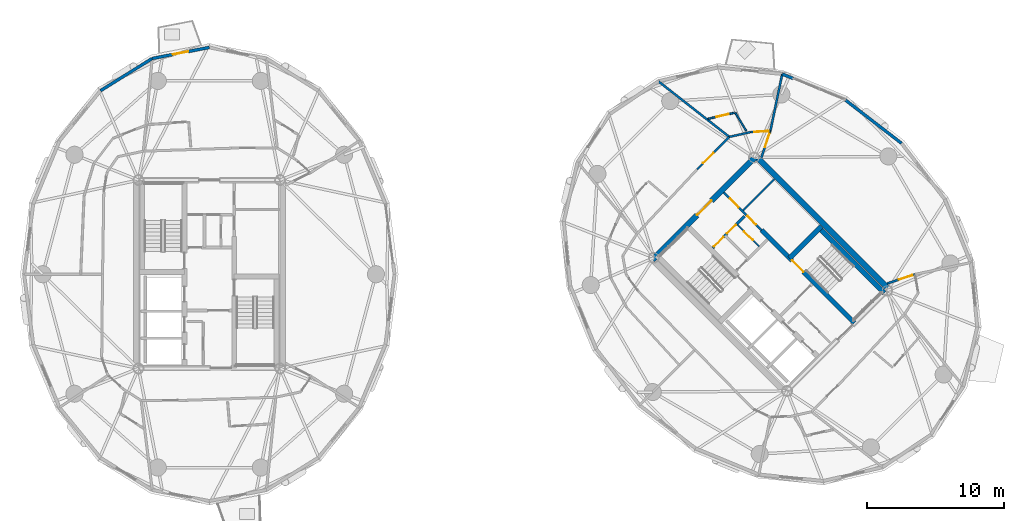
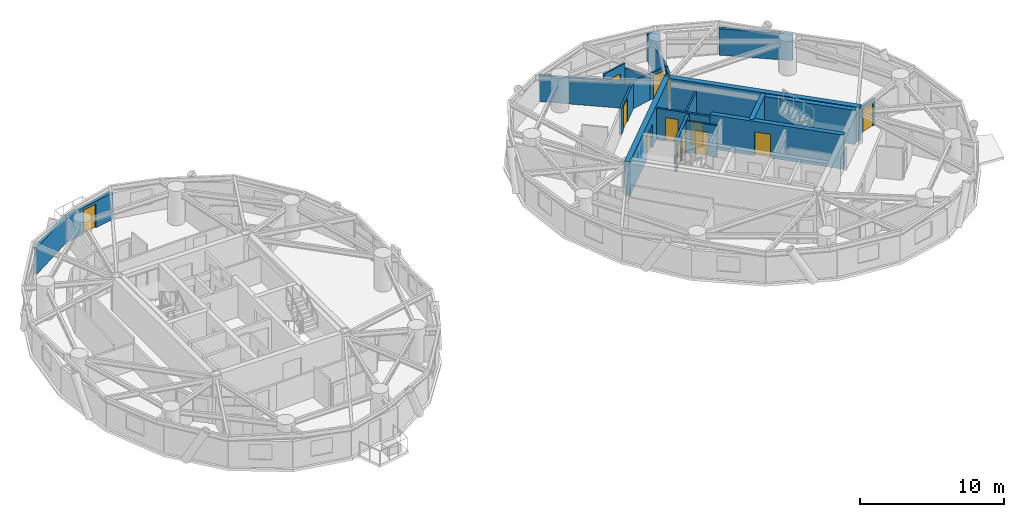
# One storey, part 12 of 16: 22 walls, 13 doors, 13 openings.
"""IFC4 building model written with IfcOpenShell, lengths in metres."""

import ifcopenshell
import ifcopenshell.guid

model = None  # the IFC model being written
_history = None  # IfcOwnerHistory: only IFC2X3 demands one
_inside = {}  # id of a spatial element -> (the spatial element, [elements in it])
_under = {}  # id of a project, library or spatial element -> (it, [spatial elements below it])
_declared = {}  # id of a project -> (the project, [libraries it declares])
_typed = {}  # id of a type object -> (the type object, [elements of that type])
_made_of = {}  # id of a material, layer set ... -> (it, [elements and type objects made of it])


def new_model(schema):
    """Start an empty IFC model of exactly this schema.

    Asked for "IFC4X3", IfcOpenShell would pick the latest addendum, in which some entities
    have other attributes; the version numbers below select the first issue.
    IFC2X3 requires an IfcOwnerHistory on every rooted entity: one is made here for all.
    """
    global model, _history
    if schema == "IFC4X3":
        model = ifcopenshell.file(schema_version=(4, 3, 0, 0))
    else:
        model = ifcopenshell.file(schema=schema)
    _inside.clear()
    _under.clear()
    _declared.clear()
    _typed.clear()
    _made_of.clear()
    _history = None
    if model.schema == "IFC2X3":
        org = make("IfcOrganization", Name="unknown")
        user = make(
            "IfcPersonAndOrganization",
            ThePerson=make("IfcPerson", FamilyName="unknown"),
            TheOrganization=org,
        )
        app = make(
            "IfcApplication",
            ApplicationDeveloper=org,
            Version="unknown",
            ApplicationFullName="unknown",
            ApplicationIdentifier="unknown",
        )
        _history = make(
            "IfcOwnerHistory",
            OwningUser=user,
            OwningApplication=app,
            ChangeAction="ADDED",
            CreationDate=0,
        )
    return model


def make(cls, **values):
    """One entity of the class cls with the attributes given. An attribute that is None is left unset."""
    return model.create_entity(
        cls, **{name: value for name, value in values.items() if value is not None}
    )


def rooted(cls, **values):
    """An entity with a GlobalId (a new one), such as an element, a storey or a relation."""
    return make(cls, GlobalId=ifcopenshell.guid.new(), OwnerHistory=_history, **values)


def si_unit(unit_type, name, prefix=None):
    """IfcSIUnit, for example si_unit("LENGTHUNIT", "METRE", prefix="MILLI")."""
    return make("IfcSIUnit", UnitType=unit_type, Prefix=prefix, Name=name)


def assignment(units):
    """IfcUnitAssignment: the units of a project."""
    return None if units is None else make("IfcUnitAssignment", Units=units)


def point(xyz):
    """IfcCartesianPoint."""
    return None if xyz is None else make("IfcCartesianPoint", Coordinates=xyz)


def direction(xyz):
    """IfcDirection."""
    return None if xyz is None else make("IfcDirection", DirectionRatios=xyz)


def frame(location, z_axis=None, x_axis=None):
    """IfcAxis2Placement3D, a coordinate frame: its origin and axes. An axis left out is left unset."""
    return make(
        "IfcAxis2Placement3D",
        Location=point(location),
        Axis=direction(z_axis),
        RefDirection=direction(x_axis),
    )


def frame_2d(location, x_axis=None):
    """IfcAxis2Placement2D, a coordinate frame in the plane: its origin and x axis."""
    return make(
        "IfcAxis2Placement2D", Location=point(location), RefDirection=direction(x_axis)
    )


def origin():
    """The frame at (0, 0, 0) with its axes left unset."""
    return frame((0.0, 0.0, 0.0))


def place(relative_to, where):
    """IfcLocalPlacement: puts the frame where relative to a parent placement (None: the world)."""
    return make(
        "IfcLocalPlacement", PlacementRelTo=relative_to, RelativePlacement=where
    )


def context(
    kind, dimensions, precision=None, world=None, true_north=None, identifier=None
):
    """IfcGeometricRepresentationContext, for example the 3D "Model" context."""
    return make(
        "IfcGeometricRepresentationContext",
        ContextIdentifier=identifier,
        ContextType=kind,
        CoordinateSpaceDimension=dimensions,
        Precision=precision,
        WorldCoordinateSystem=world,
        TrueNorth=true_north,
    )


def subcontext(parent, identifier, kind, view, scale=None):
    """IfcGeometricRepresentationSubContext, for example "Body" below "Model"."""
    return make(
        "IfcGeometricRepresentationSubContext",
        ContextIdentifier=identifier,
        ContextType=kind,
        ParentContext=parent,
        TargetScale=scale,
        TargetView=view,
    )


def project(units=None, contexts=None):
    """IfcProject with its units and contexts."""
    return rooted(
        "IfcProject",
        Name="project",
        RepresentationContexts=contexts,
        UnitsInContext=assignment(units),
    )


def spatial(cls, under=None, at=None, **own):
    """A site, building, storey or space (cls), placed at a placement, below another one or the project."""
    s = rooted(cls, ObjectPlacement=at, **own)
    if under is not None:
        _under.setdefault(under.id(), (under, []))[1].append(s)
    return s


def profile(cls, at=None, kind="AREA", **sizes):
    """A parametric profile (cls). Its sizes go by their IFC names, for example OverallWidth=200.0."""
    return make(cls, ProfileType=kind, Position=at, **sizes)


def rectangle(**sizes):
    """IfcRectangleProfileDef."""
    return profile("IfcRectangleProfileDef", **sizes)


def extrude(swept, where, along, depth):
    """IfcExtrudedAreaSolid: the profile swept, set in the frame where, extruded along a direction by depth."""
    return make(
        "IfcExtrudedAreaSolid",
        SweptArea=swept,
        Position=where,
        ExtrudedDirection=direction(along),
        Depth=depth,
    )


def shape(context_of_items, identifier, shape_type, items):
    """IfcShapeRepresentation: the items that make up one representation, for example the "Body"."""
    return make(
        "IfcShapeRepresentation",
        ContextOfItems=context_of_items,
        RepresentationIdentifier=identifier,
        RepresentationType=shape_type,
        Items=items,
    )


def source(mapping_origin, context_of_items, identifier, shape_type, items):
    """IfcRepresentationMap: a shape defined once, which mapped items show again and again."""
    return make(
        "IfcRepresentationMap",
        MappingOrigin=mapping_origin,
        MappedRepresentation=shape(context_of_items, identifier, shape_type, items),
    )


def transform(
    local_origin,
    x_axis=None,
    y_axis=None,
    z_axis=None,
    scale=None,
    scale2=None,
    scale3=None,
    uniform=True,
):
    """IfcCartesianTransformationOperator3D, or its non-uniform kind. x_axis, y_axis, z_axis: its Axis1, 2, 3."""
    if uniform:
        return make(
            "IfcCartesianTransformationOperator3D",
            Axis1=direction(x_axis),
            Axis2=direction(y_axis),
            LocalOrigin=point(local_origin),
            Scale=scale,
            Axis3=direction(z_axis),
        )
    return make(
        "IfcCartesianTransformationOperator3DnonUniform",
        Axis1=direction(x_axis),
        Axis2=direction(y_axis),
        LocalOrigin=point(local_origin),
        Scale=scale,
        Axis3=direction(z_axis),
        Scale2=scale2,
        Scale3=scale3,
    )


def mapped(mapping_source, mapping_target):
    """IfcMappedItem: shows the shape of a source again, moved by a transform."""
    return make(
        "IfcMappedItem", MappingSource=mapping_source, MappingTarget=mapping_target
    )


def material(Name=None, Category=None):
    """IfcMaterial."""
    return make("IfcMaterial", Name=Name, Category=Category)


def layer(
    of_material, thickness, ventilated=None, Name=None, Category=None, Priority=None
):
    """IfcMaterialLayer: one layer of a wall or slab, of a material (None: an air gap)."""
    return make(
        "IfcMaterialLayer",
        Material=of_material,
        LayerThickness=thickness,
        IsVentilated=ventilated,
        Name=Name,
        Category=Category,
        Priority=Priority,
    )


def layer_set(layers, Name=None):
    """IfcMaterialLayerSet."""
    return make("IfcMaterialLayerSet", MaterialLayers=layers, LayerSetName=Name)


def made_of(thing, what):
    """Note that an element or type object is made of a material, layer set ...; save() writes the relation."""
    if what is not None:
        _made_of.setdefault(what.id(), (what, []))[1].append(thing)
    return thing


def type_object(cls, material=None, **own):
    """A type object (cls), such as IfcWallType, which elements share."""
    return made_of(rooted(cls, **own), material)


def element(
    cls,
    number,
    at=None,
    inside=None,
    cuts=None,
    type_object=None,
    material=None,
    context=None,
    identifier="Body",
    shape_type=None,
    held_by="IfcProductDefinitionShape",
    body=None,
    shapes=None,
    **own,
):
    """One element of the class cls, such as IfcWall. Its Tag is "e" and its number.

    at: its placement. inside: the storey or other place that contains it. cuts: it is an
    opening in that element (IfcRelVoidsElement). A single representation is given by context,
    identifier, shape_type and body (its items); several are given by shapes. held_by: the class
    of the entity that holds the representations. save() writes the other relations.
    """
    e = rooted(cls, Tag="e%d" % number, ObjectPlacement=at, **own)
    if body is not None:
        shapes = [shape(context, identifier, shape_type, body)]
    if shapes is not None:
        e.Representation = make(held_by, Representations=shapes)
    if inside is not None:
        _inside.setdefault(inside.id(), (inside, []))[1].append(e)
    if cuts is not None:
        rooted(
            "IfcRelVoidsElement", RelatingBuildingElement=cuts, RelatedOpeningElement=e
        )
    if type_object is not None:
        _typed.setdefault(type_object.id(), (type_object, []))[1].append(e)
    return made_of(e, material)


def fill(opening, filler):
    """IfcRelFillsElement: the door or window that sits in an opening."""
    return rooted(
        "IfcRelFillsElement",
        RelatingOpeningElement=opening,
        RelatedBuildingElement=filler,
    )


def aggregate(whole, parts):
    """IfcRelAggregates: a whole, such as a stair, and the parts it consists of."""
    return rooted("IfcRelAggregates", RelatingObject=whole, RelatedObjects=parts)


def save(model, path):
    """Write the relations noted so far, then the file.

    IfcRelAggregates (storeys below a building ...), IfcRelContainedInSpatialStructure (elements
    in a storey), IfcRelDefinesByType, IfcRelAssociatesMaterial and IfcRelDeclares: one each for
    every whole, place, type object, material and project.
    """
    for whole, parts in _under.values():
        aggregate(whole, parts)
    for where, things in _inside.values():
        rooted(
            "IfcRelContainedInSpatialStructure",
            RelatedElements=things,
            RelatingStructure=where,
        )
    for kind, things in _typed.values():
        rooted("IfcRelDefinesByType", RelatedObjects=things, RelatingType=kind)
    for what, things in _made_of.values():
        rooted("IfcRelAssociatesMaterial", RelatedObjects=things, RelatingMaterial=what)
    for by, libraries in _declared.values():
        rooted("IfcRelDeclares", RelatingContext=by, RelatedDefinitions=libraries)
    model.write(path)


model = new_model("IFC4")

# Units and contexts
model_context = context("Model", 3, precision=1e-05, world=origin(), true_north=direction((0.0, 1.0)))
body_context = subcontext(model_context, "Body", "Model", "MODEL_VIEW")
ifc_project = project(units=[si_unit("LENGTHUNIT", "METRE"), si_unit("AREAUNIT", "SQUARE_METRE"), si_unit("VOLUMEUNIT", "CUBIC_METRE"), si_unit("PLANEANGLEUNIT", "RADIAN"), si_unit("MASSUNIT", "GRAM", prefix="KILO")], contexts=[model_context])

# Site, building, storey
site_placement = place(None, origin())
site = spatial("IfcSite", under=ifc_project, at=site_placement, CompositionType="ELEMENT")
building_placement = place(site_placement, origin())
building = spatial("IfcBuilding", under=site, at=building_placement, Name="Cununo Teusaquillo Station Towers", CompositionType="ELEMENT")
storey_placement = place(building_placement, frame((0.0, 0.0, 180.699951171875)))
storey = spatial("IfcBuildingStorey", under=building, at=storey_placement, Name="L57", CompositionType="ELEMENT", Elevation=180.699951171875)

# Wall, opening, door
ifc_material_1 = material(Name="Concrete C50/60", Category="concrete")
ifc_layer_1 = layer(ifc_material_1, 0.35009765625)
ifc_layer_set_1 = layer_set([ifc_layer_1], Name="Concrete C50/60")
wall_type_1 = type_object("IfcWallType", Name="WL-CORE-350", PredefinedType="SHEAR", material=ifc_layer_set_1)
wall_1_placement = place(storey_placement, frame((63.627197265625, 20.939697265625, 0.0), z_axis=(0.0, 0.0, 1.0), x_axis=(-0.707119496762, 0.707094065383, 0.0)))
wall_1 = element("IfcWall", 1, at=wall_1_placement, inside=storey, type_object=wall_type_1, Name="L57 Tower B Core Shear Wall IE", PredefinedType="SHEAR", context=body_context, shape_type="SweptSolid", body=[
    extrude(rectangle(XDim=9.60009765625, YDim=0.35009765625, at=frame_2d((4.800048828125, 0.0))), origin(), (0.0, 0.0, 1.0), 2.91015625),
])
shared_shape_1 = source(origin(), body_context, "Body", "SweptSolid", [
    extrude(rectangle(XDim=1.14990234375, YDim=2.02001953125, at=frame_2d((0.574951171875, 1.010009765625))), frame((0.0, 0.18505859375, 0.0), z_axis=(0.0, -1.0, 0.0), x_axis=(1.0, 0.0, 0.0)), (0.0, 0.0, 1.0), 0.3701171875),
])
opening_1_placement = place(wall_1_placement, frame((5.280029296875, 0.0, 0.0)))
opening_1 = element("IfcOpeningElement", 2, at=opening_1_placement, cuts=wall_1, Name="Opening D-ST1", PredefinedType="OPENING", context=body_context, shape_type="MappedRepresentation", body=[
    mapped(shared_shape_1, transform((0.0, 0.0, 0.0), x_axis=(1.0, 0.0, 0.0), y_axis=(0.0, 1.0, 0.0), z_axis=(0.0, 0.0, 1.0), scale=1.0)),
])
ifc_material_2 = material(Name="Galvanised fire-rated hollow steel door assembly", Category="steel")
door_type_1 = type_object("IfcDoorType", Name="DR-STAIR-1150", OperationType="NOTDEFINED", PredefinedType="DOOR", material=ifc_material_2)
shared_shape_2 = source(origin(), body_context, "Body", "SweptSolid", [
    extrude(rectangle(XDim=1.14990234375, YDim=2.02001953125, at=frame_2d((0.574951171875, 1.010009765625))), frame((0.0, 0.02490234375, 0.0), z_axis=(0.0, -1.0, 0.0), x_axis=(1.0, 0.0, 0.0)), (0.0, 0.0, 1.0), 0.050048828125),
])
door_1_placement = place(opening_1_placement, origin())
door_1 = element("IfcDoor", 3, at=door_1_placement, inside=storey, type_object=door_type_1, Name="L57 Tower B Exit Stair 2 Fire Door", OperationType="SINGLE_SWING_RIGHT", OverallHeight=2.02001953125, OverallWidth=1.14990234375, PredefinedType="DOOR", context=body_context, shape_type="MappedRepresentation", body=[
    mapped(shared_shape_2, transform((0.0, 0.0, 0.0), x_axis=(1.0, 0.0, 0.0), y_axis=(0.0, 1.0, 0.0), z_axis=(0.0, 0.0, 1.0), scale=1.0)),
])
fill(opening_1, door_1)

# Walls
wall_2_placement = place(storey_placement, frame((65.81201171875, 23.124755859375, 0.0), z_axis=(0.0, 0.0, 1.0), x_axis=(-0.707106781187, 0.707106781187, 0.0)))
element("IfcWall", 4, at=wall_2_placement, inside=storey, type_object=wall_type_1, Name="L57 Tower B Core Shear Wall ST2E", PredefinedType="SHEAR", context=body_context, shape_type="SweptSolid", body=[
    extrude(rectangle(XDim=6.695068359375, YDim=0.35009765625, at=frame_2d((3.34765625, 0.0))), origin(), (0.0, 0.0, 1.0), 2.91015625),
])
wall_3_placement = place(storey_placement, frame((58.89306640625, 25.673828125, 0.0), z_axis=(0.0, 0.0, 1.0), x_axis=(0.707106781187, 0.707106781187, 0.0)))
element("IfcWall", 5, at=wall_3_placement, inside=storey, type_object=wall_type_1, Name="L57 Tower B Core Shear Wall ST2N", PredefinedType="SHEAR", context=body_context, shape_type="SweptSolid", body=[
    extrude(rectangle(XDim=3.284912109375, YDim=0.35009765625, at=frame_2d((1.642578125, 0.0))), origin(), (0.0, 0.0, 1.0), 2.91015625),
])
ifc_material_3 = material(Name="Concrete C50/60", Category="concrete")
ifc_layer_2 = layer(ifc_material_3, 0.39990234375)
ifc_layer_set_2 = layer_set([ifc_layer_2], Name="Concrete C50/60")
wall_type_2 = type_object("IfcWallType", Name="WL-CORE-400", PredefinedType="SHEAR", material=ifc_layer_set_2)
wall_4_placement = place(storey_placement, frame((66.26806640625, 23.2978515625, 0.0), z_axis=(0.0, 0.0, 1.0), x_axis=(-0.707106781187, 0.707106781187, 0.0)))
element("IfcWall", 6, at=wall_4_placement, inside=storey, type_object=wall_type_2, Name="L57 Tower B Core Shear Wall E", PredefinedType="SHEAR", context=body_context, shape_type="SweptSolid", body=[
    extrude(rectangle(XDim=14.10009765625, YDim=0.39990234375, at=frame_2d((7.050048828125, 0.0))), origin(), (0.0, 0.0, 1.0), 2.91015625),
])

# Wall, opening, door
wall_5_placement = place(storey_placement, frame((48.873291015625, 25.560791015625, 0.0), z_axis=(0.0, 0.0, 1.0), x_axis=(0.707106781187, 0.707106781187, 0.0)))
wall_5 = element("IfcWall", 7, at=wall_5_placement, inside=storey, type_object=wall_type_2, Name="L57 Tower B Core Shear Wall N", PredefinedType="SHEAR", context=body_context, shape_type="SweptSolid", body=[
    extrude(rectangle(XDim=10.69970703125, YDim=0.39990234375, at=frame_2d((5.349853515625, 0.0))), origin(), (0.0, 0.0, 1.0), 2.91015625),
])
shared_shape_3 = source(origin(), body_context, "Body", "SweptSolid", [
    extrude(rectangle(XDim=1.5, YDim=2.02001953125, at=frame_2d((0.75, 1.010009765625))), frame((0.0, 0.2099609375, 0.0), z_axis=(0.0, -1.0, 0.0), x_axis=(1.0, 0.0, 0.0)), (0.0, 0.0, 1.0), 0.419921875),
])
opening_2_placement = place(wall_5_placement, frame((4.60009765625, 0.0, 0.0)))
opening_2 = element("IfcOpeningElement", 8, at=opening_2_placement, cuts=wall_5, Name="Opening D-LB1", PredefinedType="OPENING", context=body_context, shape_type="MappedRepresentation", body=[
    mapped(shared_shape_3, transform((0.0, 0.0, 0.0), x_axis=(1.0, 0.0, 0.0), y_axis=(0.0, 1.0, 0.0), z_axis=(0.0, 0.0, 1.0), scale=1.0)),
])
ifc_material_4 = material(Name="Galvanised fire-rated hollow steel door assembly", Category="steel")
door_type_2 = type_object("IfcDoorType", Name="DR-LOBBY-1500", OperationType="DOUBLE_DOOR_SINGLE_SWING", PredefinedType="DOOR", material=ifc_material_4)
shared_shape_4 = source(origin(), body_context, "Body", "SweptSolid", [
    extrude(rectangle(XDim=1.5, YDim=2.02001953125, at=frame_2d((0.75, 1.010009765625))), frame((0.0, 0.02490234375, 0.0), z_axis=(0.0, -1.0, 0.0), x_axis=(1.0, 0.0, 0.0)), (0.0, 0.0, 1.0), 0.050048828125),
])
door_2_placement = place(opening_2_placement, origin())
door_2 = element("IfcDoor", 9, at=door_2_placement, inside=storey, type_object=door_type_2, Name="L57 Tower B North Core Lift Lobby Door", OperationType="DOUBLE_DOOR_SINGLE_SWING", OverallHeight=2.02001953125, OverallWidth=1.5, PredefinedType="DOOR", context=body_context, shape_type="MappedRepresentation", body=[
    mapped(shared_shape_4, transform((0.0, 0.0, 0.0), x_axis=(1.0, 0.0, 0.0), y_axis=(0.0, 1.0, 0.0), z_axis=(0.0, 0.0, 1.0), scale=1.0)),
])
fill(opening_2, door_2)

ifc_material_5 = material(Name="Precast concrete C40/50", Category="concrete")
ifc_layer_3 = layer(ifc_material_5, 0.219970703125)
ifc_layer_set_3 = layer_set([ifc_layer_3], Name="Precast concrete C40/50")
wall_type_3 = type_object("IfcWallType", Name="WL-EXT-220", PredefinedType="SOLIDWALL", material=ifc_layer_set_3)
wall_6_placement = place(storey_placement, frame((12.318603515625, 40.259033203125, 0.0), z_axis=(0.0, 0.0, 1.0), x_axis=(0.981703883443, 0.190413983815, 0.0)))
wall_6 = element("IfcWall", 10, at=wall_6_placement, inside=storey, type_object=wall_type_3, Name="L57 Tower A Exterior Facade Wall C05", PredefinedType="SOLIDWALL", context=body_context, shape_type="SweptSolid", body=[
    extrude(rectangle(XDim=4.25927734375, YDim=0.219970703125, at=frame_2d((2.129638671875, 0.0))), origin(), (0.0, 0.0, 1.0), 2.2451171875),
])
shared_shape_5 = source(origin(), body_context, "Body", "SweptSolid", [
    extrude(rectangle(XDim=1.14990234375, YDim=2.0048828125, at=frame_2d((0.574951171875, 1.00244140625))), frame((0.0, 0.119873046875, 0.0), z_axis=(0.0, -1.0, 0.0), x_axis=(1.0, 0.0, 0.0)), (0.0, 0.0, 1.0), 0.239990234375),
])
opening_3_placement = place(wall_6_placement, frame((1.554931640625, 0.0, 0.0)))
opening_3 = element("IfcOpeningElement", 11, at=opening_3_placement, cuts=wall_6, Name="Opening ED-03", PredefinedType="OPENING", context=body_context, shape_type="MappedRepresentation", body=[
    mapped(shared_shape_5, transform((0.0, 0.0, 0.0), x_axis=(1.0, 0.0, 0.0), y_axis=(0.0, 1.0, 0.0), z_axis=(0.0, 0.0, 1.0), scale=1.0)),
])
ifc_material_6 = material(Name="Anodised dark bronze aluminium EN AW-6063-T6", Category="aluminium")
door_type_3 = type_object("IfcDoorType", Name="DR-EXT-BAL", OperationType="NOTDEFINED", PredefinedType="DOOR", material=ifc_material_6)
shared_shape_6 = source(origin(), body_context, "Body", "SweptSolid", [
    extrude(rectangle(XDim=1.14990234375, YDim=2.0048828125, at=frame_2d((0.574951171875, 1.00244140625))), frame((0.0, 0.02490234375, 0.0), z_axis=(0.0, -1.0, 0.0), x_axis=(1.0, 0.0, 0.0)), (0.0, 0.0, 1.0), 0.050048828125),
])
door_3_placement = place(opening_3_placement, origin())
door_3 = element("IfcDoor", 12, at=door_3_placement, inside=storey, type_object=door_type_3, Name="L57 Tower A Tree Balcony Door C05", OperationType="SINGLE_SWING_LEFT", OverallHeight=2.0048828125, OverallWidth=1.14990234375, PredefinedType="DOOR", context=body_context, shape_type="MappedRepresentation", body=[
    mapped(shared_shape_6, transform((0.0, 0.0, 0.0), x_axis=(1.0, 0.0, 0.0), y_axis=(0.0, 1.0, 0.0), z_axis=(0.0, 0.0, 1.0), scale=1.0)),
])
fill(opening_3, door_3)

# Walls
wall_7_placement = place(storey_placement, frame((8.546630859375, 37.905517578125, 0.0), z_axis=(0.0, 0.0, 1.0), x_axis=(0.848399108042, 0.529357113368, 0.0)))
element("IfcWall", 13, at=wall_7_placement, inside=storey, type_object=wall_type_3, Name="L57 Tower A Exterior Facade Wall C06", PredefinedType="SOLIDWALL", context=body_context, shape_type="SweptSolid", body=[
    extrude(rectangle(XDim=4.446044921875, YDim=0.219970703125, at=frame_2d((2.22314453125, 0.0))), origin(), (0.0, 0.0, 1.0), 2.2451171875),
])
wall_8_placement = place(storey_placement, frame((62.97900390625, 37.22021484375, 0.0), z_axis=(0.0, 0.0, 1.0), x_axis=(0.791962560189, -0.610569654715, 0.0)))
element("IfcWall", 14, at=wall_8_placement, inside=storey, type_object=wall_type_3, Name="L57 Tower B Exterior Facade Wall C00", PredefinedType="SOLIDWALL", context=body_context, shape_type="SweptSolid", body=[
    extrude(rectangle(XDim=5.162841796875, YDim=0.219970703125, at=frame_2d((2.58154296875, 0.0))), origin(), (0.0, 0.0, 1.0), 2.2451171875),
])
wall_9_placement = place(storey_placement, frame((58.353515625, 39.12744140625, 0.0), z_axis=(0.0, 0.0, 1.0), x_axis=(0.924556017656, -0.381046152345, 0.0)))
element("IfcWall", 15, at=wall_9_placement, inside=storey, type_object=wall_type_3, Name="L57 Tower B Column Pier Cladding Wall C01-PA", PredefinedType="SOLIDWALL", context=body_context, shape_type="SweptSolid", body=[
    extrude(rectangle(XDim=0.8701171875, YDim=0.219970703125, at=frame_2d((0.43505859375, 0.0))), origin(), (0.0, 0.0, 1.0), 2.2451171875),
])

# Wall, opening, door
ifc_material_7 = material(Name="Fire-rated gypsum plasterboard partition assembly", Category="gypsum")
ifc_layer_4 = layer(ifc_material_7, 0.125)
ifc_layer_set_4 = layer_set([ifc_layer_4], Name="Fire-rated gypsum plasterboard partition assembly")
wall_type_4 = type_object("IfcWallType", Name="WL-PART-125", PredefinedType="PARTITIONING", material=ifc_layer_set_4)
wall_10_placement = place(storey_placement, frame((56.672607421875, 26.529296875, 0.0), z_axis=(0.0, 0.0, 1.0), x_axis=(-0.707052764397, 0.70716079385, 0.0)))
wall_10 = element("IfcWall", 16, at=wall_10_placement, inside=storey, type_object=wall_type_4, Name="L57 Tower B Core Vertical Split Wall", PredefinedType="PARTITIONING", context=body_context, shape_type="SweptSolid", body=[
    extrude(rectangle(XDim=2.260009765625, YDim=0.125, at=frame_2d((1.1298828125, 0.0))), origin(), (0.0, 0.0, 1.0), 2.675048828125),
])
shared_shape_7 = source(origin(), body_context, "Body", "SweptSolid", [
    extrude(rectangle(XDim=0.89990234375, YDim=2.0048828125, at=frame_2d((0.449951171875, 1.00244140625))), frame((0.0, 0.072509765625, 0.0), z_axis=(0.0, -1.0, 0.0), x_axis=(1.0, 0.0, 0.0)), (0.0, 0.0, 1.0), 0.14501953125),
])
opening_4_placement = place(wall_10_placement, frame((0.64990234375, 0.0, 0.0)))
opening_4 = element("IfcOpeningElement", 17, at=opening_4_placement, cuts=wall_10, Name="Opening D-SR1", PredefinedType="OPENING", context=body_context, shape_type="MappedRepresentation", body=[
    mapped(shared_shape_7, transform((0.0, 0.0, 0.0), x_axis=(1.0, 0.0, 0.0), y_axis=(0.0, 1.0, 0.0), z_axis=(0.0, 0.0, 1.0), scale=1.0)),
])
ifc_material_8 = material(Name="Galvanised fire-rated hollow steel door assembly", Category="steel")
door_type_4 = type_object("IfcDoorType", Name="DR-STORE-900", OperationType="NOTDEFINED", PredefinedType="DOOR", material=ifc_material_8)
shared_shape_8 = source(origin(), body_context, "Body", "SweptSolid", [
    extrude(rectangle(XDim=0.89990234375, YDim=2.0048828125, at=frame_2d((0.449951171875, 1.00244140625))), frame((0.0, 0.02490234375, 0.0), z_axis=(0.0, -1.0, 0.0), x_axis=(1.0, 0.0, 0.0)), (0.0, 0.0, 1.0), 0.050048828125),
])
door_4_placement = place(opening_4_placement, origin())
door_4 = element("IfcDoor", 18, at=door_4_placement, inside=storey, type_object=door_type_4, Name="L57 Tower B Core Electrical Room Door", OperationType="SINGLE_SWING_LEFT", OverallHeight=2.0048828125, OverallWidth=0.89990234375, PredefinedType="DOOR", context=body_context, shape_type="MappedRepresentation", body=[
    mapped(shared_shape_8, transform((0.0, 0.0, 0.0), x_axis=(1.0, 0.0, 0.0), y_axis=(0.0, 1.0, 0.0), z_axis=(0.0, 0.0, 1.0), scale=1.0)),
])
fill(opening_4, door_4)

# Walls
wall_11_placement = place(storey_placement, frame((55.49169921875, 29.1669921875, 0.0), z_axis=(0.0, 0.0, 1.0), x_axis=(0.707144688645, 0.707068871696, 0.0)))
element("IfcWall", 19, at=wall_11_placement, inside=storey, type_object=wall_type_4, Name="L57 Tower B Reclaimed Bay Divider Wall", PredefinedType="PARTITIONING", context=body_context, shape_type="SweptSolid", body=[
    extrude(rectangle(XDim=3.22021484375, YDim=0.125, at=frame_2d((1.610107421875, 0.0))), origin(), (0.0, 0.0, 1.0), 2.212158203125),
])
wall_12_placement = place(storey_placement, frame((55.726806640625, 34.969970703125, 0.0), z_axis=(0.0, 0.0, 1.0), x_axis=(-0.514518774568, 0.857479113808, 0.0)))
element("IfcWall", 20, at=wall_12_placement, inside=storey, type_object=wall_type_4, Name="L57 Tower B S01 En-suite Side Wall", PredefinedType="PARTITIONING", context=body_context, shape_type="SweptSolid", body=[
    extrude(rectangle(XDim=1.5595703125, YDim=0.125, at=frame_2d((0.77978515625, 0.0))), origin(), (0.0, 0.0, 1.0), 2.2451171875),
])

# Wall, opening, door
wall_13_placement = place(storey_placement, frame((54.863525390625, 36.29345703125, 0.0), z_axis=(0.0, 0.0, 1.0), x_axis=(-0.974875983782, -0.222748324896, 0.0)))
wall_13 = element("IfcWall", 21, at=wall_13_placement, inside=storey, type_object=wall_type_4, Name="L57 Tower B S01 En-suite Back Wall", PredefinedType="PARTITIONING", context=body_context, shape_type="SweptSolid", body=[
    extrude(rectangle(XDim=1.99365234375, YDim=0.125, at=frame_2d((0.996826171875, 0.0))), origin(), (0.0, 0.0, 1.0), 2.675048828125),
])
opening_5_placement = place(wall_13_placement, frame((0.440185546875, 0.0, 0.0)))
opening_5 = element("IfcOpeningElement", 22, at=opening_5_placement, cuts=wall_13, Name="Opening D-IN1", PredefinedType="OPENING", context=body_context, shape_type="MappedRepresentation", body=[
    mapped(shared_shape_7, transform((0.0, 0.0, 0.0), x_axis=(1.0, 0.0, 0.0), y_axis=(0.0, 1.0, 0.0), z_axis=(0.0, 0.0, 1.0), scale=1.0)),
])
ifc_material_9 = material(Name="Acoustic solid-core hardwood leaf assembly", Category="wood")
door_type_5 = type_object("IfcDoorType", Name="DR-INT-900", OperationType="NOTDEFINED", PredefinedType="DOOR", material=ifc_material_9)
door_5_placement = place(opening_5_placement, origin())
door_5 = element("IfcDoor", 23, at=door_5_placement, inside=storey, type_object=door_type_5, Name="L57 Tower B S01 En-suite Bathroom Door", OperationType="SINGLE_SWING_LEFT", OverallHeight=2.0048828125, OverallWidth=0.89990234375, PredefinedType="DOOR", context=body_context, shape_type="MappedRepresentation", body=[
    mapped(shared_shape_8, transform((0.0, 0.0, 0.0), x_axis=(1.0, 0.0, 0.0), y_axis=(0.0, 1.0, 0.0), z_axis=(0.0, 0.0, 1.0), scale=1.0)),
])
fill(opening_5, door_5)

ifc_material_10 = material(Name="Fire-rated gypsum plasterboard partition assembly", Category="gypsum")
ifc_layer_5 = layer(ifc_material_10, 0.14990234375)
ifc_layer_set_5 = layer_set([ifc_layer_5], Name="Fire-rated gypsum plasterboard partition assembly")
wall_type_5 = type_object("IfcWallType", Name="WL-PART-150", PredefinedType="PARTITIONING", material=ifc_layer_set_5)
wall_14_placement = place(storey_placement, frame((57.486328125, 34.96044921875, 0.0), z_axis=(0.0, 0.0, 1.0), x_axis=(-0.998483871836, -0.055045051404, 0.0)))
wall_14 = element("IfcWall", 24, at=wall_14_placement, inside=storey, type_object=wall_type_5, Name="L57 Tower B Corridor Ring Wall C02", PredefinedType="PARTITIONING", context=body_context, shape_type="SweptSolid", body=[
    extrude(rectangle(XDim=1.463623046875, YDim=0.14990234375, at=frame_2d((0.73193359375, 0.0))), origin(), (0.0, 0.0, 1.0), 2.2451171875),
])
shared_shape_9 = source(origin(), body_context, "Body", "SweptSolid", [
    extrude(rectangle(XDim=1.050048828125, YDim=2.014892578125, at=frame_2d((0.52490234375, 1.00732421875))), frame((0.0, 0.0849609375, 0.0), z_axis=(0.0, -1.0, 0.0), x_axis=(1.0, 0.0, 0.0)), (0.0, 0.0, 1.0), 0.169921875),
])
opening_6_placement = place(wall_14_placement, frame((0.1201171875, 0.0, 0.0)))
opening_6 = element("IfcOpeningElement", 25, at=opening_6_placement, cuts=wall_14, Name="Opening D-SU1", PredefinedType="OPENING", context=body_context, shape_type="MappedRepresentation", body=[
    mapped(shared_shape_9, transform((0.0, 0.0, 0.0), x_axis=(1.0, 0.0, 0.0), y_axis=(0.0, 1.0, 0.0), z_axis=(0.0, 0.0, 1.0), scale=1.0)),
])
ifc_material_11 = material(Name="Acoustic solid-core hardwood leaf assembly", Category="wood")
door_type_6 = type_object("IfcDoorType", Name="DR-SUITE-1050", OperationType="NOTDEFINED", PredefinedType="DOOR", material=ifc_material_11)
shared_shape_10 = source(origin(), body_context, "Body", "SweptSolid", [
    extrude(rectangle(XDim=1.050048828125, YDim=2.014892578125, at=frame_2d((0.52490234375, 1.00732421875))), frame((0.0, 0.02490234375, 0.0), z_axis=(0.0, -1.0, 0.0), x_axis=(1.0, 0.0, 0.0)), (0.0, 0.0, 1.0), 0.050048828125),
])
door_6_placement = place(opening_6_placement, origin())
door_6 = element("IfcDoor", 26, at=door_6_placement, inside=storey, type_object=door_type_6, Name="L57 Tower B Summit Club Hotel Suite Entrance Door", OperationType="SINGLE_SWING_RIGHT", OverallHeight=2.014892578125, OverallWidth=1.050048828125, PredefinedType="DOOR", context=body_context, shape_type="MappedRepresentation", body=[
    mapped(shared_shape_10, transform((0.0, 0.0, 0.0), x_axis=(1.0, 0.0, 0.0), y_axis=(0.0, 1.0, 0.0), z_axis=(0.0, 0.0, 1.0), scale=1.0)),
])
fill(opening_6, door_6)

# Wall
wall_15_placement = place(storey_placement, frame((56.02490234375, 34.8798828125, 0.0), z_axis=(0.0, 0.0, 1.0), x_axis=(-0.975729093394, -0.218981132301, 0.0)))
element("IfcWall", 27, at=wall_15_placement, inside=storey, type_object=wall_type_5, Name="L57 Tower B Corridor Ring Wall C03", PredefinedType="PARTITIONING", context=body_context, shape_type="SweptSolid", body=[
    extrude(rectangle(XDim=1.575439453125, YDim=0.14990234375, at=frame_2d((0.78759765625, 0.0))), origin(), (0.0, 0.0, 1.0), 2.2451171875),
])

# Wall, opening, door
wall_16_placement = place(storey_placement, frame((54.48779296875, 34.534912109375, 0.0), z_axis=(0.0, 0.0, 1.0), x_axis=(-0.703666289339, -0.710530613871, 0.0)))
wall_16 = element("IfcWall", 28, at=wall_16_placement, inside=storey, type_object=wall_type_5, Name="L57 Tower B Corridor Ring Wall C04", PredefinedType="PARTITIONING", context=body_context, shape_type="SweptSolid", body=[
    extrude(rectangle(XDim=3.34326171875, YDim=0.14990234375, at=frame_2d((1.671630859375, 0.0))), origin(), (0.0, 0.0, 1.0), 2.2451171875),
])
opening_7_placement = place(wall_16_placement, frame((1.659912109375, 0.0, 0.0)))
opening_7 = element("IfcOpeningElement", 29, at=opening_7_placement, cuts=wall_16, Name="Opening D-SU1", PredefinedType="OPENING", context=body_context, shape_type="MappedRepresentation", body=[
    mapped(shared_shape_9, transform((0.0, 0.0, 0.0), x_axis=(1.0, 0.0, 0.0), y_axis=(0.0, 1.0, 0.0), z_axis=(0.0, 0.0, 1.0), scale=1.0)),
])
door_7_placement = place(opening_7_placement, origin())
door_7 = element("IfcDoor", 30, at=door_7_placement, inside=storey, type_object=door_type_6, Name="L57 Tower B Savanna View Hotel Suite Entrance Door", OperationType="SINGLE_SWING_RIGHT", OverallHeight=2.014892578125, OverallWidth=1.050048828125, PredefinedType="DOOR", context=body_context, shape_type="MappedRepresentation", body=[
    mapped(shared_shape_10, transform((0.0, 0.0, 0.0), x_axis=(1.0, 0.0, 0.0), y_axis=(0.0, 1.0, 0.0), z_axis=(0.0, 0.0, 1.0), scale=1.0)),
])
fill(opening_7, door_7)

# Wall, openings, doors
ifc_material_12 = material(Name="Fire-rated gypsum plasterboard partition assembly", Category="gypsum")
ifc_layer_6 = layer(ifc_material_12, 0.159912109375)
ifc_layer_set_6 = layer_set([ifc_layer_6], Name="Fire-rated gypsum plasterboard partition assembly")
wall_type_6 = type_object("IfcWallType", Name="WL-PART-160", PredefinedType="PARTITIONING", material=ifc_layer_set_6)
wall_17_placement = place(storey_placement, frame((56.8388671875, 27.727783203125, 0.0), z_axis=(0.0, 0.0, 1.0), x_axis=(-0.707106781187, 0.707106781187, 0.0)))
wall_17 = element("IfcWall", 31, at=wall_17_placement, inside=storey, type_object=wall_type_6, Name="L57 Tower B Reclaimed Core Bay Entry Wall", PredefinedType="PARTITIONING", context=body_context, shape_type="SweptSolid", body=[
    extrude(rectangle(XDim=3.900146484375, YDim=0.159912109375, at=frame_2d((1.9501953125, 0.0))), origin(), (0.0, 0.0, 1.0), 2.675048828125),
])
shared_shape_11 = source(origin(), body_context, "Body", "SweptSolid", [
    extrude(rectangle(XDim=0.89990234375, YDim=2.0048828125, at=frame_2d((0.449951171875, 1.00244140625))), frame((0.0, 0.08984375, 0.0), z_axis=(0.0, -1.0, 0.0), x_axis=(1.0, 0.0, 0.0)), (0.0, 0.0, 1.0), 0.179931640625),
])
opening_8_placement = place(wall_17_placement, frame((0.550048828125, 0.0, 0.0)))
opening_8 = element("IfcOpeningElement", 32, at=opening_8_placement, cuts=wall_17, Name="Opening D-IN1", PredefinedType="OPENING", context=body_context, shape_type="MappedRepresentation", body=[
    mapped(shared_shape_11, transform((0.0, 0.0, 0.0), x_axis=(1.0, 0.0, 0.0), y_axis=(0.0, 1.0, 0.0), z_axis=(0.0, 0.0, 1.0), scale=1.0)),
])
opening_9_placement = place(wall_17_placement, frame((2.35009765625, 0.0, 0.0)))
opening_9 = element("IfcOpeningElement", 33, at=opening_9_placement, cuts=wall_17, Name="Opening D-IN1", PredefinedType="OPENING", context=body_context, shape_type="MappedRepresentation", body=[
    mapped(shared_shape_11, transform((0.0, 0.0, 0.0), x_axis=(1.0, 0.0, 0.0), y_axis=(0.0, 1.0, 0.0), z_axis=(0.0, 0.0, 1.0), scale=1.0)),
])
door_8_placement = place(opening_8_placement, origin())
door_8 = element("IfcDoor", 34, at=door_8_placement, inside=storey, type_object=door_type_5, Name="L57 Tower B Reclaimed Core Study Door", OperationType="SINGLE_SWING_RIGHT", OverallHeight=2.0048828125, OverallWidth=0.89990234375, PredefinedType="DOOR", context=body_context, shape_type="MappedRepresentation", body=[
    mapped(shared_shape_8, transform((0.0, 0.0, 0.0), x_axis=(1.0, 0.0, 0.0), y_axis=(0.0, 1.0, 0.0), z_axis=(0.0, 0.0, 1.0), scale=1.0)),
])
fill(opening_8, door_8)
door_9_placement = place(opening_9_placement, origin())
door_9 = element("IfcDoor", 35, at=door_9_placement, inside=storey, type_object=door_type_5, Name="L57 Tower B Reclaimed Core Pantry Door", OperationType="SINGLE_SWING_LEFT", OverallHeight=2.0048828125, OverallWidth=0.89990234375, PredefinedType="DOOR", context=body_context, shape_type="MappedRepresentation", body=[
    mapped(shared_shape_8, transform((0.0, 0.0, 0.0), x_axis=(1.0, 0.0, 0.0), y_axis=(0.0, 1.0, 0.0), z_axis=(0.0, 0.0, 1.0), scale=1.0)),
])
fill(opening_9, door_9)

# Walls
wall_18_placement = place(storey_placement, frame((57.486328125, 34.96044921875, 0.0), z_axis=(0.0, 0.0, 1.0), x_axis=(0.204011788318, 0.978968431681, 0.0)))
element("IfcWall", 36, at=wall_18_placement, inside=storey, type_object=wall_type_6, Name="L57 Tower B Radial Suite Partition R01", PredefinedType="PARTITIONING", context=body_context, shape_type="SweptSolid", body=[
    extrude(rectangle(XDim=4.236328125, YDim=0.159912109375, at=frame_2d((2.1181640625, 0.0))), origin(), (0.0, 0.0, 1.0), 2.2451171875),
])
wall_19_placement = place(storey_placement, frame((54.48779296875, 34.534912109375, 0.0), z_axis=(0.0, 0.0, 1.0), x_axis=(-0.787155500995, 0.616754584298, 0.0)))
element("IfcWall", 37, at=wall_19_placement, inside=storey, type_object=wall_type_6, Name="L57 Tower B Radial Suite Partition R02", PredefinedType="PARTITIONING", context=body_context, shape_type="SweptSolid", body=[
    extrude(rectangle(XDim=6.56201171875, YDim=0.159912109375, at=frame_2d((3.281005859375, 0.0))), origin(), (0.0, 0.0, 1.0), 2.2451171875),
])

# Wall, opening, door
wall_20_placement = place(storey_placement, frame((56.828125, 33.0205078125, 0.0), z_axis=(0.0, 0.0, 1.0), x_axis=(0.321300161671, 0.94697740528, 0.0)))
wall_20 = element("IfcWall", 38, at=wall_20_placement, inside=storey, type_object=wall_type_6, Name="L57 Tower B East Salon Corridor Portal Wall NE", PredefinedType="PARTITIONING", context=body_context, shape_type="SweptSolid", body=[
    extrude(rectangle(XDim=2.048583984375, YDim=0.159912109375, at=frame_2d((1.0244140625, 0.0))), origin(), (0.0, 0.0, 1.0), 2.2451171875),
])
shared_shape_12 = source(origin(), body_context, "Body", "SweptSolid", [
    extrude(rectangle(XDim=1.050048828125, YDim=2.014892578125, at=frame_2d((0.52490234375, 1.00732421875))), frame((0.0, 0.08984375, 0.0), z_axis=(0.0, -1.0, 0.0), x_axis=(1.0, 0.0, 0.0)), (0.0, 0.0, 1.0), 0.179931640625),
])
opening_10_placement = place(wall_20_placement, frame((0.79833984375, 0.0, 0.0)))
opening_10 = element("IfcOpeningElement", 39, at=opening_10_placement, cuts=wall_20, Name="Opening D-SU1", PredefinedType="OPENING", context=body_context, shape_type="MappedRepresentation", body=[
    mapped(shared_shape_12, transform((0.0, 0.0, 0.0), x_axis=(1.0, 0.0, 0.0), y_axis=(0.0, 1.0, 0.0), z_axis=(0.0, 0.0, 1.0), scale=1.0)),
])
door_10_placement = place(opening_10_placement, origin())
door_10 = element("IfcDoor", 40, at=door_10_placement, inside=storey, type_object=door_type_6, Name="L57 Tower B East Panorama Sky Salon Door NE", OperationType="SINGLE_SWING_RIGHT", OverallHeight=2.014892578125, OverallWidth=1.050048828125, PredefinedType="DOOR", context=body_context, shape_type="MappedRepresentation", body=[
    mapped(shared_shape_10, transform((0.0, 0.0, 0.0), x_axis=(1.0, 0.0, 0.0), y_axis=(0.0, 1.0, 0.0), z_axis=(0.0, 0.0, 1.0), scale=1.0)),
])
fill(opening_10, door_10)

wall_21_placement = place(storey_placement, frame((66.0205078125, 23.828125, 0.0), z_axis=(0.0, 0.0, 1.0), x_axis=(0.951292345965, 0.308290240695, 0.0)))
wall_21 = element("IfcWall", 41, at=wall_21_placement, inside=storey, type_object=wall_type_6, Name="L57 Tower B East Salon Corridor Portal Wall SE", PredefinedType="PARTITIONING", context=body_context, shape_type="SweptSolid", body=[
    extrude(rectangle(XDim=2.143798828125, YDim=0.159912109375, at=frame_2d((1.07177734375, 0.0))), origin(), (0.0, 0.0, 1.0), 2.2451171875),
])
opening_11_placement = place(wall_21_placement, frame((0.893798828125, 0.0, 0.0)))
opening_11 = element("IfcOpeningElement", 42, at=opening_11_placement, cuts=wall_21, Name="Opening D-SU1", PredefinedType="OPENING", context=body_context, shape_type="MappedRepresentation", body=[
    mapped(shared_shape_12, transform((0.0, 0.0, 0.0), x_axis=(1.0, 0.0, 0.0), y_axis=(0.0, 1.0, 0.0), z_axis=(0.0, 0.0, 1.0), scale=1.0)),
])
door_11_placement = place(opening_11_placement, origin())
door_11 = element("IfcDoor", 43, at=door_11_placement, inside=storey, type_object=door_type_6, Name="L57 Tower B East Panorama Sky Salon Door SE", OperationType="SINGLE_SWING_LEFT", OverallHeight=2.014892578125, OverallWidth=1.050048828125, PredefinedType="DOOR", context=body_context, shape_type="MappedRepresentation", body=[
    mapped(shared_shape_10, transform((0.0, 0.0, 0.0), x_axis=(1.0, 0.0, 0.0), y_axis=(0.0, 1.0, 0.0), z_axis=(0.0, 0.0, 1.0), scale=1.0)),
])
fill(opening_11, door_11)

# Wall, openings, doors
ifc_material_13 = material(Name="Fire-rated gypsum plasterboard partition assembly", Category="gypsum")
ifc_layer_7 = layer(ifc_material_13, 0.199951171875)
ifc_layer_set_7 = layer_set([ifc_layer_7], Name="Fire-rated gypsum plasterboard partition assembly")
wall_type_7 = type_object("IfcWallType", Name="WL-PART-200", PredefinedType="PARTITIONING", material=ifc_layer_set_7)
wall_22_placement = place(storey_placement, frame((53.264404296875, 26.416259765625, 0.0), z_axis=(0.0, 0.0, 1.0), x_axis=(0.707106781187, 0.707106781187, 0.0)))
wall_22 = element("IfcWall", 44, at=wall_22_placement, inside=storey, type_object=wall_type_7, Name="L57 Tower B North Lift Lobby South Fire Wall", PredefinedType="PARTITIONING", context=body_context, shape_type="SweptSolid", body=[
    extrude(rectangle(XDim=3.280029296875, YDim=0.199951171875, at=frame_2d((1.64013671875, 0.0))), origin(), (0.0, 0.0, 1.0), 2.675048828125),
])
shared_shape_13 = source(origin(), body_context, "Body", "SweptSolid", [
    extrude(rectangle(XDim=1.0, YDim=2.014892578125, at=frame_2d((0.5, 1.00732421875))), frame((0.0, 0.10986328125, 0.0), z_axis=(0.0, -1.0, 0.0), x_axis=(1.0, 0.0, 0.0)), (0.0, 0.0, 1.0), 0.219970703125),
])
opening_12_placement = place(wall_22_placement, frame((0.139892578125, 0.0, 0.0)))
opening_12 = element("IfcOpeningElement", 45, at=opening_12_placement, cuts=wall_22, Name="Opening D-AC1", PredefinedType="OPENING", context=body_context, shape_type="MappedRepresentation", body=[
    mapped(shared_shape_13, transform((0.0, 0.0, 0.0), x_axis=(1.0, 0.0, 0.0), y_axis=(0.0, 1.0, 0.0), z_axis=(0.0, 0.0, 1.0), scale=1.0)),
])
shared_shape_14 = source(origin(), body_context, "Body", "SweptSolid", [
    extrude(rectangle(XDim=0.89990234375, YDim=2.0048828125, at=frame_2d((0.449951171875, 1.00244140625))), frame((0.0, 0.10986328125, 0.0), z_axis=(0.0, -1.0, 0.0), x_axis=(1.0, 0.0, 0.0)), (0.0, 0.0, 1.0), 0.219970703125),
])
opening_13_placement = place(wall_22_placement, frame((1.5, 0.0, 0.0)))
opening_13 = element("IfcOpeningElement", 46, at=opening_13_placement, cuts=wall_22, Name="Opening D-SR1", PredefinedType="OPENING", context=body_context, shape_type="MappedRepresentation", body=[
    mapped(shared_shape_14, transform((0.0, 0.0, 0.0), x_axis=(1.0, 0.0, 0.0), y_axis=(0.0, 1.0, 0.0), z_axis=(0.0, 0.0, 1.0), scale=1.0)),
])
door_12_placement = place(opening_13_placement, origin())
door_12 = element("IfcDoor", 47, at=door_12_placement, inside=storey, type_object=door_type_4, Name="L57 Tower B Core Housekeeping Store Door", OperationType="SINGLE_SWING_RIGHT", OverallHeight=2.0048828125, OverallWidth=0.89990234375, PredefinedType="DOOR", context=body_context, shape_type="MappedRepresentation", body=[
    mapped(shared_shape_8, transform((0.0, 0.0, 0.0), x_axis=(1.0, 0.0, 0.0), y_axis=(0.0, 1.0, 0.0), z_axis=(0.0, 0.0, 1.0), scale=1.0)),
])
fill(opening_13, door_12)
ifc_material_14 = material(Name="Acoustic solid-core hardwood leaf assembly", Category="wood")
door_type_7 = type_object("IfcDoorType", Name="DR-ACC-1000", OperationType="NOTDEFINED", PredefinedType="DOOR", material=ifc_material_14)
shared_shape_15 = source(origin(), body_context, "Body", "SweptSolid", [
    extrude(rectangle(XDim=1.0, YDim=2.014892578125, at=frame_2d((0.5, 1.00732421875))), frame((0.0, 0.02490234375, 0.0), z_axis=(0.0, -1.0, 0.0), x_axis=(1.0, 0.0, 0.0)), (0.0, 0.0, 1.0), 0.050048828125),
])
door_13_placement = place(opening_12_placement, origin())
door_13 = element("IfcDoor", 48, at=door_13_placement, inside=storey, type_object=door_type_7, Name="L57 Tower B North Lift Lobby to Stair 1 Vestibule Door", OperationType="SINGLE_SWING_RIGHT", OverallHeight=2.014892578125, OverallWidth=1.0, PredefinedType="DOOR", context=body_context, shape_type="MappedRepresentation", body=[
    mapped(shared_shape_15, transform((0.0, 0.0, 0.0), x_axis=(1.0, 0.0, 0.0), y_axis=(0.0, 1.0, 0.0), z_axis=(0.0, 0.0, 1.0), scale=1.0)),
])
fill(opening_12, door_13)

save(model, "model.ifc")
